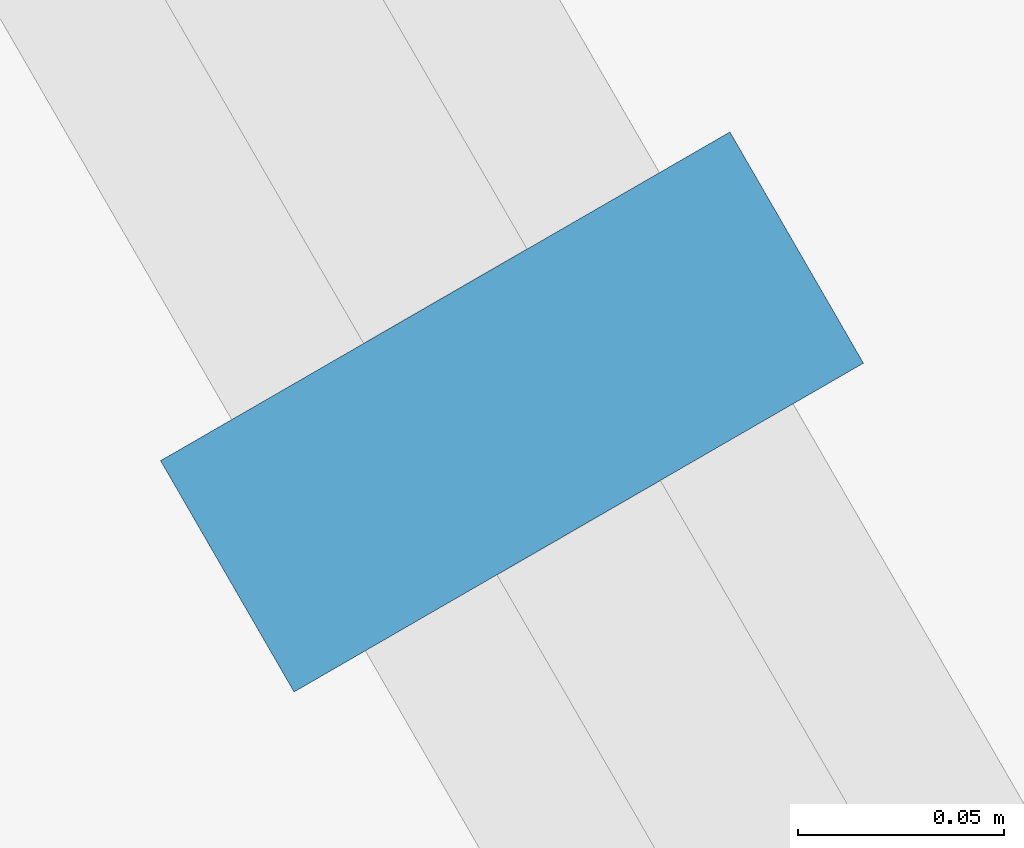
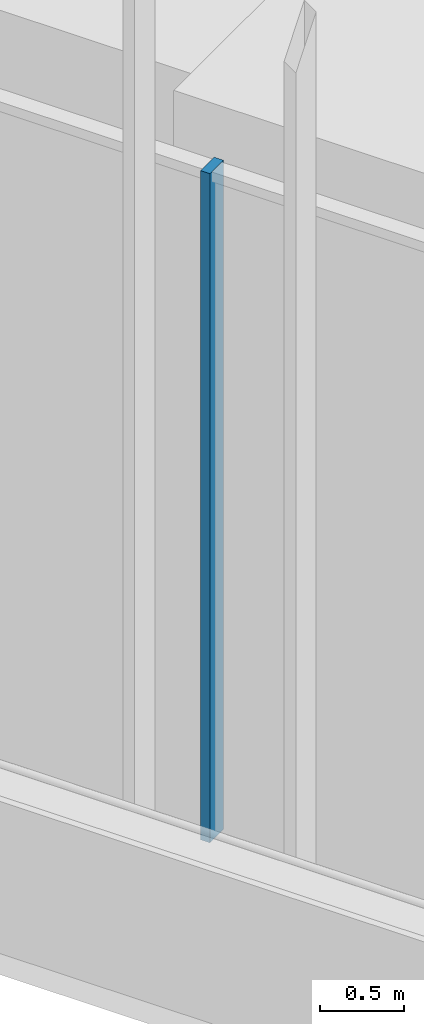
# One storey, part 58 of 228: 1 member, 1 element without a shape of its own.
"""IFC4 building model written with IfcOpenShell, lengths in metres."""

from ifc_helpers import new_model, si_unit, direction, frame, origin, origin_2d, place, context, subcontext, project, spatial, rectangle, extrude, material, material_profile, profile_set, type_object, element, aggregate, save


model = new_model("IFC4")

# Units and contexts
model_context = context("Model", 3, precision=1e-05, world=origin(), true_north=direction((0.0, 1.0)))
body_context = subcontext(model_context, "Body", "Model", "MODEL_VIEW")
ifc_project = project(units=[si_unit("LENGTHUNIT", "METRE"), si_unit("AREAUNIT", "SQUARE_METRE"), si_unit("VOLUMEUNIT", "CUBIC_METRE"), si_unit("PLANEANGLEUNIT", "RADIAN"), si_unit("MASSUNIT", "GRAM", prefix="KILO")], contexts=[model_context])

# Site, building, storey
site_placement = place(None, origin())
site = spatial("IfcSite", under=ifc_project, at=site_placement, CompositionType="ELEMENT")
building_placement = place(site_placement, origin())
building = spatial("IfcBuilding", under=site, at=building_placement, Name="Sandreach Pilgrim Tower", CompositionType="ELEMENT")
storey_placement = place(building_placement, frame((0.0, 0.0, 178.199951171875)))
storey = spatial("IfcBuildingStorey", under=building, at=storey_placement, Name="L44", CompositionType="ELEMENT", Elevation=178.199951171875)

# Curtain wall, member
ifc_material_1 = material(Name="Aluminium framed curtain wall", Category="aluminium")
curtain_wall_type = type_object("IfcCurtainWallType", Name="Upper hotel tower curtain wall", PredefinedType="NOTDEFINED", material=ifc_material_1)
curtain_wall_placement = place(storey_placement, origin())
curtain_wall = element("IfcCurtainWall", 1, at=curtain_wall_placement, inside=storey, type_object=curtain_wall_type, Name="CW-3 L44 SW", PredefinedType="NOTDEFINED")
ifc_material_2 = material(Name="Aluminium extrusion", Category="aluminium")
ifc_material_profile = material_profile(ifc_material_2, rectangle(XDim=0.06494140625, YDim=0.159912109375, at=origin_2d()), Name="CW-3M 65X160")
ifc_profile_set = profile_set([ifc_material_profile], Name="Aluminium extrusion")
member_type = type_object("IfcMemberType", Name="CW-3 mullion", PredefinedType="MULLION", material=ifc_profile_set)
member_placement = place(storey_placement, frame((-23.15576171875, -2.21337890625, 0.0), z_axis=(0.0, 0.0, 1.0), x_axis=(-0.5, 0.866025403784, 0.0)))
member = element("IfcMember", 2, at=member_placement, type_object=member_type, Name="CW-3 mullion 8", PredefinedType="MULLION", context=body_context, shape_type="SweptSolid", body=[
    extrude(rectangle(XDim=0.06494140625, YDim=0.159912109375, at=origin_2d()), origin(), (0.0, 0.0, 1.0), 4.840087890625),
])
aggregate(curtain_wall, [member])

save(model, "model.ifc")
